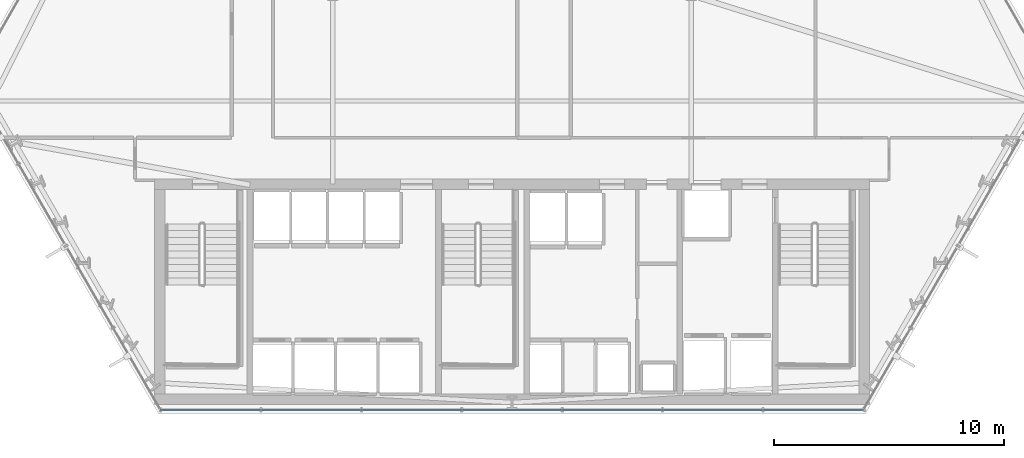
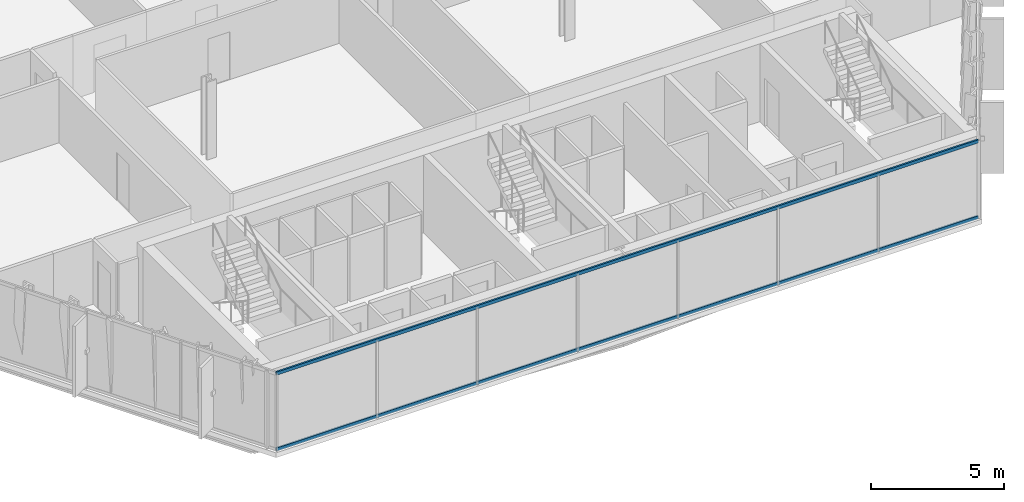
# One storey, part 7 of 33: 2 members, 1 element without a shape of its own.
"""IFC4 building model written with IfcOpenShell, lengths in metres."""

from ifc_helpers import new_model, si_unit, direction, frame, origin, origin_2d, place, context, subcontext, project, spatial, hollow_rectangle, extrude, material, layer, layer_set, material_profile, profile_set, type_object, element, aggregate, save


model = new_model("IFC4")

# Units and contexts
model_context = context("Model", 3, precision=1e-05, world=origin(), true_north=direction((0.0, 1.0)))
body_context = subcontext(model_context, "Body", "Model", "MODEL_VIEW")
ifc_project = project(units=[si_unit("LENGTHUNIT", "METRE"), si_unit("AREAUNIT", "SQUARE_METRE"), si_unit("VOLUMEUNIT", "CUBIC_METRE"), si_unit("PLANEANGLEUNIT", "RADIAN"), si_unit("MASSUNIT", "GRAM", prefix="KILO")], contexts=[model_context])

# Site, building, storey
site_placement = place(None, origin())
site = spatial("IfcSite", under=ifc_project, at=site_placement, CompositionType="ELEMENT")
building_placement = place(site_placement, origin())
building = spatial("IfcBuilding", under=site, at=building_placement, Name="Ndaravel Arena Tower", CompositionType="ELEMENT")
storey_placement = place(building_placement, frame((0.0, 0.0, 43.60009765625)))
storey = spatial("IfcBuildingStorey", under=building, at=storey_placement, Name="L08", CompositionType="ELEMENT", Elevation=43.60009765625)

# Curtain wall, members
ifc_material_1 = material(Name="Aluminium", Category="aluminium")
ifc_layer = layer(ifc_material_1, 0.179931640625)
ifc_layer_set = layer_set([ifc_layer], Name="Aluminium")
curtain_wall_type = type_object("IfcCurtainWallType", Name="CW-SYS-03", PredefinedType="NOTDEFINED", material=ifc_layer_set)
curtain_wall_placement = place(storey_placement, origin())
curtain_wall = element("IfcCurtainWall", 1, at=curtain_wall_placement, inside=storey, type_object=curtain_wall_type, Name="L08 Faceted Crystal Curtain Wall CW-L08-E01", PredefinedType="NOTDEFINED")
ifc_material_2 = material(Name="Aluminium", Category="aluminium")
ifc_material_profile = material_profile(ifc_material_2, hollow_rectangle(XDim=0.074951171875, YDim=0.14990234375, WallThickness=0.00390625, at=origin_2d()), Name="CW TRANSOM 75x150x4")
ifc_profile_set = profile_set([ifc_material_profile], Name="Aluminium")
member_type = type_object("IfcMemberType", Name="MEM-CW-TRN150", PredefinedType="USERDEFINED", material=ifc_profile_set)
member_1_placement = place(storey_placement, frame((26.7119140625, 5.159912109375, 0.039794921875), z_axis=(1.0, 0.0, 0.0), x_axis=(0.0, 1.0, 0.0)))
member_1 = element("IfcMember", 2, at=member_1_placement, type_object=member_type, Name="CW-L08-E01 Transom 01", ObjectType="TRANSOM", PredefinedType="USERDEFINED", context=body_context, shape_type="SweptSolid", body=[
    extrude(hollow_rectangle(XDim=0.074951171875, YDim=0.14990234375, WallThickness=0.00390625, at=origin_2d()), origin(), (0.0, 0.0, 1.0), 30.576171875),
])
member_2_placement = place(storey_placement, frame((26.7119140625, 5.159912109375, 3.539794921875), z_axis=(1.0, 0.0, 0.0), x_axis=(0.0, 1.0, 0.0)))
member_2 = element("IfcMember", 3, at=member_2_placement, type_object=member_type, Name="CW-L08-E01 Transom 02", ObjectType="TRANSOM", PredefinedType="USERDEFINED", context=body_context, shape_type="SweptSolid", body=[
    extrude(hollow_rectangle(XDim=0.074951171875, YDim=0.14990234375, WallThickness=0.00390625, at=origin_2d()), origin(), (0.0, 0.0, 1.0), 30.576171875),
])
aggregate(curtain_wall, [member_1, member_2])

save(model, "model.ifc")
